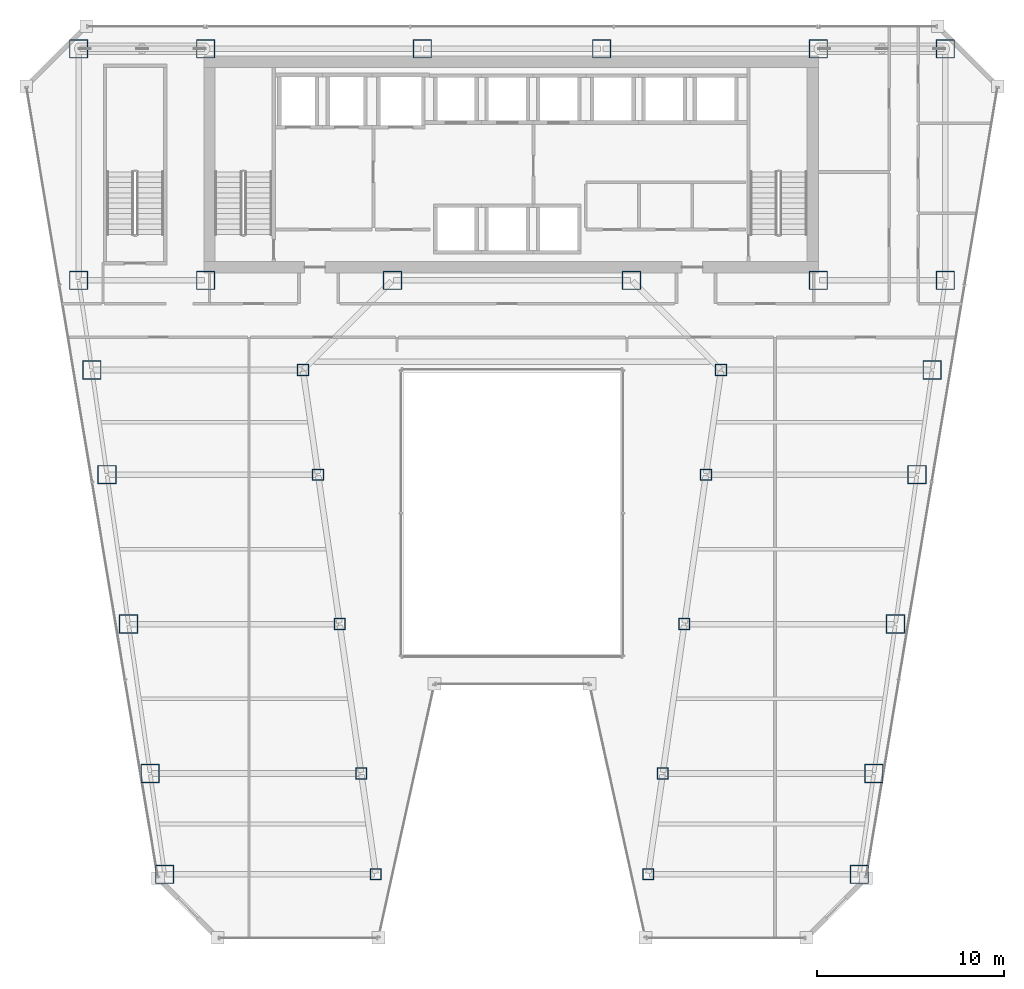
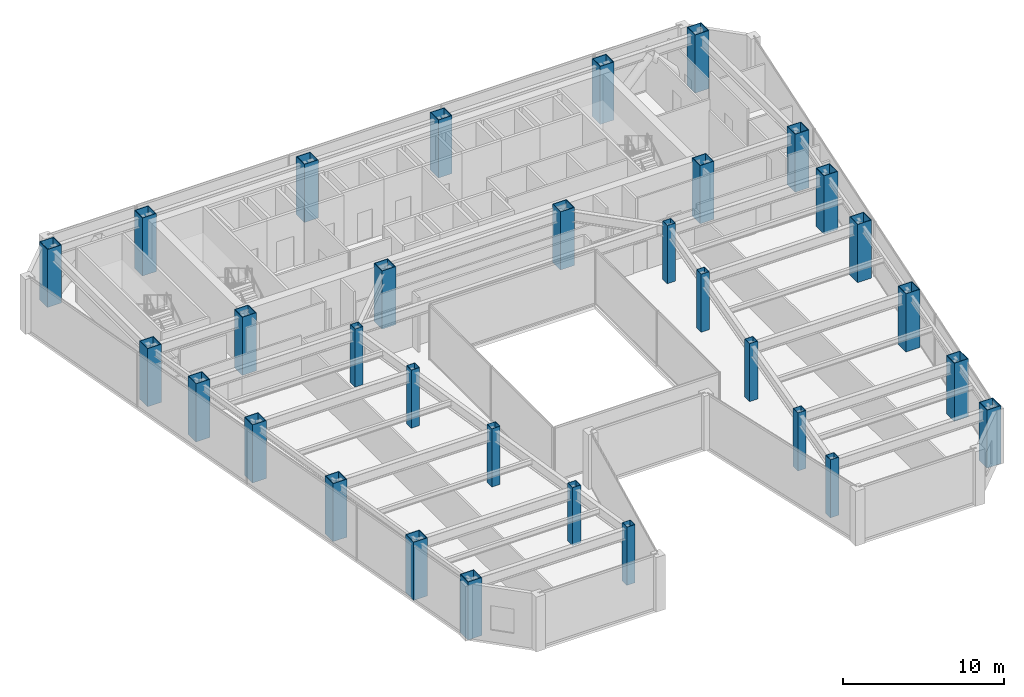
# One storey, part 1 of 37: 32 columns.
"""IFC4 building model written with IfcOpenShell, lengths in metres."""

from ifc_helpers import new_model, si_unit, direction, frame, origin, origin_2d, place, context, subcontext, project, spatial, hollow_rectangle, extrude, material, material_profile, profile_set, type_object, element, save


model = new_model("IFC4")

# Units and contexts
model_context = context("Model", 3, precision=1e-05, world=origin(), true_north=direction((0.0, 1.0)))
body_context = subcontext(model_context, "Body", "Model", "MODEL_VIEW")
ifc_project = project(units=[si_unit("LENGTHUNIT", "METRE"), si_unit("AREAUNIT", "SQUARE_METRE"), si_unit("VOLUMEUNIT", "CUBIC_METRE"), si_unit("PLANEANGLEUNIT", "RADIAN"), si_unit("MASSUNIT", "GRAM", prefix="KILO")], contexts=[model_context])

# Site, building, storey
site_placement = place(None, origin())
site = spatial("IfcSite", under=ifc_project, at=site_placement, CompositionType="ELEMENT")
building_placement = place(site_placement, origin())
building = spatial("IfcBuilding", under=site, at=building_placement, Name="Saevonmaru Cultural Tower", CompositionType="ELEMENT")
storey_placement = place(building_placement, frame((0.0, 0.0, 110.39990234375)))
storey = spatial("IfcBuildingStorey", under=building, at=storey_placement, Name="L23", CompositionType="ELEMENT", Elevation=110.39990234375)

# Columns
ifc_material_1 = material(Name="Steel SM420", Category="steel")
ifc_material_profile_1 = material_profile(ifc_material_1, hollow_rectangle(XDim=1.0, YDim=1.0, WallThickness=0.044921875, at=origin_2d()), Name="BOX-1000x1000x45")
ifc_profile_set_1 = profile_set([ifc_material_profile_1], Name="Steel SM420")
column_type_1 = type_object("IfcColumnType", Name="COL-BOX-1000", PredefinedType="COLUMN", material=ifc_profile_set_1)
for number, where, z_axis, x_axis, name in (
    (1, (6.800048828125, 54.800048828125, 0.0), (0.0, 0.0, 1.0), (1.0, 0.0, 0.0), "L23 Column TC-N1N"),
    (2, (13.60009765625, 54.800048828125, 0.0), (0.0, 0.0, 1.0), (1.0, 0.0, 0.0), "L23 Column TC-N2N"),
    (3, (25.199951171875, 54.800048828125, 0.0), (0.0, 0.0, 1.0), (1.0, 0.0, 0.0), "L23 Column TC-N3N"),
    (4, (34.800048828125, 54.800048828125, 0.0), (0.0, 0.0, 1.0), (1.0, 0.0, 0.0), "L23 Column TC-N4N"),
    (5, (46.39990234375, 54.800048828125, 0.0), (0.0, 0.0, 1.0), (1.0, 0.0, 0.0), "L23 Column TC-N5N"),
    (6, (53.199951171875, 54.800048828125, 0.0), (0.0, 0.0, 1.0), (1.0, 0.0, 0.0), "L23 Column TC-N6N"),
    (7, (6.800048828125, 42.39990234375, 0.0), (0.0, 0.0, 1.0), (1.0, 0.0, 0.0), "L23 Column TC-S1C"),
    (8, (13.60009765625, 42.39990234375, 0.0), (0.0, 0.0, 1.0), (1.0, 0.0, 0.0), "L23 Column TC-S2C"),
    (9, (23.60009765625, 42.39990234375, 0.0), (0.0, 0.0, 1.0), (1.0, 0.0, 0.0), "L23 Column TC-S3C"),
    (10, (36.39990234375, 42.39990234375, 0.0), (0.0, 0.0, 1.0), (1.0, 0.0, 0.0), "L23 Column TC-S4C"),
    (11, (46.39990234375, 42.39990234375, 0.0), (0.0, 0.0, 1.0), (1.0, 0.0, 0.0), "L23 Column TC-S5C"),
    (12, (53.199951171875, 42.39990234375, 0.0), (0.0, 0.0, 1.0), (1.0, 0.0, 0.0), "L23 Column TC-S6C"),
    (13, (11.407958984375, 10.60009765625, 0.0), (0.0, 0.0, 1.0), (1.0, 0.0, 0.0), "L23 Column TC-WO-Y106"),
    (14, (48.592041015625, 10.60009765625, 0.0), (0.0, 0.0, 1.0), (1.0, 0.0, 0.0), "L23 Column TC-EO-Y106"),
    (15, (10.6279296875, 16.0, 0.0), (0.0, 0.0, 1.0), (1.0, 0.0, 0.0), "L23 Column TC-WO-Y160"),
    (16, (49.3720703125, 16.0, 0.0), (0.0, 0.0, 1.0), (1.0, 0.0, 0.0), "L23 Column TC-EO-Y160"),
    (17, (9.471923828125, 24.0, 0.0), (0.0, 0.0, 1.0), (1.0, 0.0, 0.0), "L23 Column TC-WO-Y240"),
    (18, (50.528076171875, 24.0, 0.0), (0.0, 0.0, 1.0), (1.0, 0.0, 0.0), "L23 Column TC-EO-Y240"),
    (19, (8.31689453125, 32.0, 0.0), (0.0, 0.0, 1.0), (1.0, 0.0, 0.0), "L23 Column TC-WO-Y320"),
    (20, (51.68310546875, 32.0, 0.0), (0.0, 0.0, 1.0), (1.0, 0.0, 0.0), "L23 Column TC-EO-Y320"),
    (21, (7.508056640625, 37.60009765625, 0.0), (0.0, 0.0, 1.0), (1.0, 0.0, 0.0), "L23 Column TC-WO-Y376"),
    (22, (52.491943359375, 37.60009765625, 0.0), (0.0, 0.0, 1.0), (1.0, 0.0, 0.0), "L23 Column TC-EO-Y376"),
):
    element("IfcColumn", number, at=place(storey_placement, frame(where, z_axis=z_axis, x_axis=x_axis)), inside=storey, type_object=column_type_1, Name=name, PredefinedType="COLUMN", context=body_context, shape_type="SweptSolid", body=[
        extrude(hollow_rectangle(XDim=1.0, YDim=1.0, WallThickness=0.044921875, at=origin_2d()), origin(), (0.0, 0.0, 1.0), 4.400146484375),
    ])
ifc_material_2 = material(Name="Steel SM355", Category="steel")
ifc_material_profile_2 = material_profile(ifc_material_2, hollow_rectangle(XDim=0.60009765625, YDim=0.60009765625, WallThickness=0.028076171875, at=origin_2d()), Name="BOX-600x600x28")
ifc_profile_set_2 = profile_set([ifc_material_profile_2], Name="Steel SM355")
column_type_2 = type_object("IfcColumnType", Name="COL-BOX-600", PredefinedType="COLUMN", material=ifc_profile_set_2)
for number, where, z_axis, x_axis, name in (
    (23, (22.7080078125, 10.60009765625, 0.0), (0.0, 0.0, 1.0), (1.0, 0.0, 0.0), "L23 Column TC-WI-Y106"),
    (24, (37.2919921875, 10.60009765625, 0.0), (0.0, 0.0, 1.0), (1.0, 0.0, 0.0), "L23 Column TC-EI-Y106"),
    (25, (21.927978515625, 16.0, 0.0), (0.0, 0.0, 1.0), (1.0, 0.0, 0.0), "L23 Column TC-WI-Y160"),
    (26, (38.072021484375, 16.0, 0.0), (0.0, 0.0, 1.0), (1.0, 0.0, 0.0), "L23 Column TC-EI-Y160"),
    (27, (20.77197265625, 24.0, 0.0), (0.0, 0.0, 1.0), (1.0, 0.0, 0.0), "L23 Column TC-WI-Y240"),
    (28, (39.22802734375, 24.0, 0.0), (0.0, 0.0, 1.0), (1.0, 0.0, 0.0), "L23 Column TC-EI-Y240"),
    (29, (19.616943359375, 32.0, 0.0), (0.0, 0.0, 1.0), (1.0, 0.0, 0.0), "L23 Column TC-WI-Y320"),
    (30, (40.383056640625, 32.0, 0.0), (0.0, 0.0, 1.0), (1.0, 0.0, 0.0), "L23 Column TC-EI-Y320"),
    (31, (18.80810546875, 37.60009765625, 0.0), (0.0, 0.0, 1.0), (1.0, 0.0, 0.0), "L23 Column TC-WI-Y376"),
    (32, (41.19189453125, 37.60009765625, 0.0), (0.0, 0.0, 1.0), (1.0, 0.0, 0.0), "L23 Column TC-EI-Y376"),
):
    element("IfcColumn", number, at=place(storey_placement, frame(where, z_axis=z_axis, x_axis=x_axis)), inside=storey, type_object=column_type_2, Name=name, PredefinedType="COLUMN", context=body_context, shape_type="SweptSolid", body=[
        extrude(hollow_rectangle(XDim=0.60009765625, YDim=0.60009765625, WallThickness=0.028076171875, at=origin_2d()), origin(), (0.0, 0.0, 1.0), 4.400146484375),
    ])

save(model, "model.ifc")
